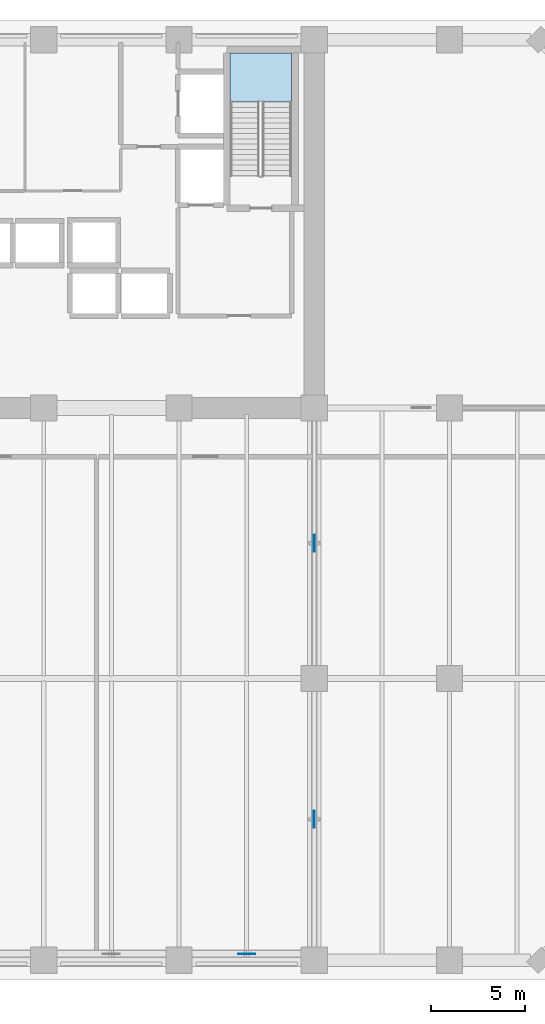
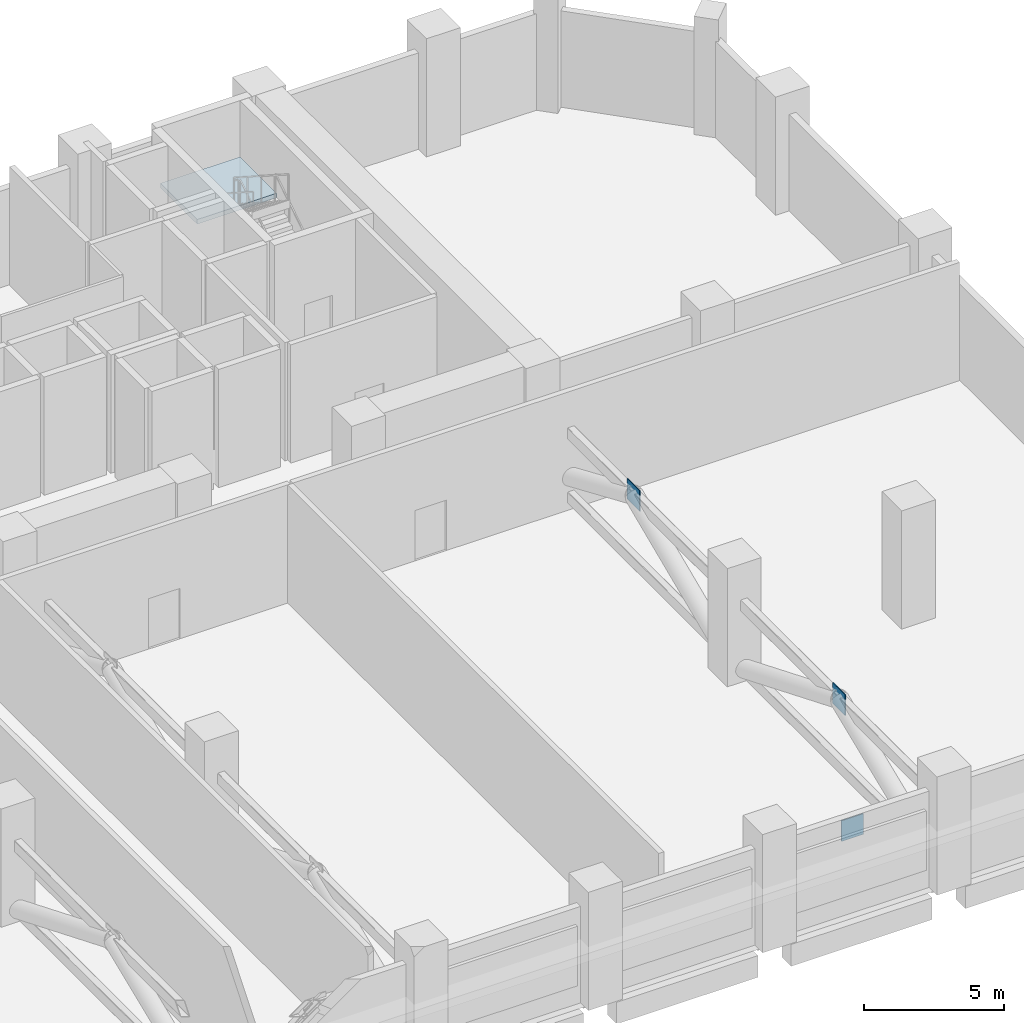
# One storey, part 6 of 15: 3 plates, 1 slab, 1 element without a shape of its own.
"""IFC4 building model written with IfcOpenShell, lengths in metres."""

import ifcopenshell
import ifcopenshell.guid

model = None  # the IFC model being written
_history = None  # IfcOwnerHistory: only IFC2X3 demands one
_inside = {}  # id of a spatial element -> (the spatial element, [elements in it])
_under = {}  # id of a project, library or spatial element -> (it, [spatial elements below it])
_declared = {}  # id of a project -> (the project, [libraries it declares])
_typed = {}  # id of a type object -> (the type object, [elements of that type])
_made_of = {}  # id of a material, layer set ... -> (it, [elements and type objects made of it])


def new_model(schema):
    """Start an empty IFC model of exactly this schema.

    Asked for "IFC4X3", IfcOpenShell would pick the latest addendum, in which some entities
    have other attributes; the version numbers below select the first issue.
    IFC2X3 requires an IfcOwnerHistory on every rooted entity: one is made here for all.
    """
    global model, _history
    if schema == "IFC4X3":
        model = ifcopenshell.file(schema_version=(4, 3, 0, 0))
    else:
        model = ifcopenshell.file(schema=schema)
    _inside.clear()
    _under.clear()
    _declared.clear()
    _typed.clear()
    _made_of.clear()
    _history = None
    if model.schema == "IFC2X3":
        org = make("IfcOrganization", Name="unknown")
        user = make(
            "IfcPersonAndOrganization",
            ThePerson=make("IfcPerson", FamilyName="unknown"),
            TheOrganization=org,
        )
        app = make(
            "IfcApplication",
            ApplicationDeveloper=org,
            Version="unknown",
            ApplicationFullName="unknown",
            ApplicationIdentifier="unknown",
        )
        _history = make(
            "IfcOwnerHistory",
            OwningUser=user,
            OwningApplication=app,
            ChangeAction="ADDED",
            CreationDate=0,
        )
    return model


def make(cls, **values):
    """One entity of the class cls with the attributes given. An attribute that is None is left unset."""
    return model.create_entity(
        cls, **{name: value for name, value in values.items() if value is not None}
    )


def rooted(cls, **values):
    """An entity with a GlobalId (a new one), such as an element, a storey or a relation."""
    return make(cls, GlobalId=ifcopenshell.guid.new(), OwnerHistory=_history, **values)


def si_unit(unit_type, name, prefix=None):
    """IfcSIUnit, for example si_unit("LENGTHUNIT", "METRE", prefix="MILLI")."""
    return make("IfcSIUnit", UnitType=unit_type, Prefix=prefix, Name=name)


def assignment(units):
    """IfcUnitAssignment: the units of a project."""
    return None if units is None else make("IfcUnitAssignment", Units=units)


def point(xyz):
    """IfcCartesianPoint."""
    return None if xyz is None else make("IfcCartesianPoint", Coordinates=xyz)


def direction(xyz):
    """IfcDirection."""
    return None if xyz is None else make("IfcDirection", DirectionRatios=xyz)


def frame(location, z_axis=None, x_axis=None):
    """IfcAxis2Placement3D, a coordinate frame: its origin and axes. An axis left out is left unset."""
    return make(
        "IfcAxis2Placement3D",
        Location=point(location),
        Axis=direction(z_axis),
        RefDirection=direction(x_axis),
    )


def frame_2d(location, x_axis=None):
    """IfcAxis2Placement2D, a coordinate frame in the plane: its origin and x axis."""
    return make(
        "IfcAxis2Placement2D", Location=point(location), RefDirection=direction(x_axis)
    )


def origin():
    """The frame at (0, 0, 0) with its axes left unset."""
    return frame((0.0, 0.0, 0.0))


def origin_2d():
    """The frame at (0, 0) in the plane with its x axis left unset."""
    return frame_2d((0.0, 0.0))


def place(relative_to, where):
    """IfcLocalPlacement: puts the frame where relative to a parent placement (None: the world)."""
    return make(
        "IfcLocalPlacement", PlacementRelTo=relative_to, RelativePlacement=where
    )


def context(
    kind, dimensions, precision=None, world=None, true_north=None, identifier=None
):
    """IfcGeometricRepresentationContext, for example the 3D "Model" context."""
    return make(
        "IfcGeometricRepresentationContext",
        ContextIdentifier=identifier,
        ContextType=kind,
        CoordinateSpaceDimension=dimensions,
        Precision=precision,
        WorldCoordinateSystem=world,
        TrueNorth=true_north,
    )


def subcontext(parent, identifier, kind, view, scale=None):
    """IfcGeometricRepresentationSubContext, for example "Body" below "Model"."""
    return make(
        "IfcGeometricRepresentationSubContext",
        ContextIdentifier=identifier,
        ContextType=kind,
        ParentContext=parent,
        TargetScale=scale,
        TargetView=view,
    )


def project(units=None, contexts=None):
    """IfcProject with its units and contexts."""
    return rooted(
        "IfcProject",
        Name="project",
        RepresentationContexts=contexts,
        UnitsInContext=assignment(units),
    )


def spatial(cls, under=None, at=None, **own):
    """A site, building, storey or space (cls), placed at a placement, below another one or the project."""
    s = rooted(cls, ObjectPlacement=at, **own)
    if under is not None:
        _under.setdefault(under.id(), (under, []))[1].append(s)
    return s


def polyline(points):
    """IfcPolyline through the points."""
    return make("IfcPolyline", Points=[point(p) for p in points])


def profile(cls, at=None, kind="AREA", **sizes):
    """A parametric profile (cls). Its sizes go by their IFC names, for example OverallWidth=200.0."""
    return make(cls, ProfileType=kind, Position=at, **sizes)


def rectangle(**sizes):
    """IfcRectangleProfileDef."""
    return profile("IfcRectangleProfileDef", **sizes)


def outline(outer, holes=None, kind="AREA"):
    """IfcArbitraryClosedProfileDef: a profile drawn as a closed curve; with holes, ...WithVoids."""
    if holes is None:
        return make("IfcArbitraryClosedProfileDef", ProfileType=kind, OuterCurve=outer)
    return make(
        "IfcArbitraryProfileDefWithVoids",
        ProfileType=kind,
        OuterCurve=outer,
        InnerCurves=holes,
    )


def extrude(swept, where, along, depth):
    """IfcExtrudedAreaSolid: the profile swept, set in the frame where, extruded along a direction by depth."""
    return make(
        "IfcExtrudedAreaSolid",
        SweptArea=swept,
        Position=where,
        ExtrudedDirection=direction(along),
        Depth=depth,
    )


def shape(context_of_items, identifier, shape_type, items):
    """IfcShapeRepresentation: the items that make up one representation, for example the "Body"."""
    return make(
        "IfcShapeRepresentation",
        ContextOfItems=context_of_items,
        RepresentationIdentifier=identifier,
        RepresentationType=shape_type,
        Items=items,
    )


def material(Name=None, Category=None):
    """IfcMaterial."""
    return make("IfcMaterial", Name=Name, Category=Category)


def layer(
    of_material, thickness, ventilated=None, Name=None, Category=None, Priority=None
):
    """IfcMaterialLayer: one layer of a wall or slab, of a material (None: an air gap)."""
    return make(
        "IfcMaterialLayer",
        Material=of_material,
        LayerThickness=thickness,
        IsVentilated=ventilated,
        Name=Name,
        Category=Category,
        Priority=Priority,
    )


def layer_set(layers, Name=None):
    """IfcMaterialLayerSet."""
    return make("IfcMaterialLayerSet", MaterialLayers=layers, LayerSetName=Name)


def made_of(thing, what):
    """Note that an element or type object is made of a material, layer set ...; save() writes the relation."""
    if what is not None:
        _made_of.setdefault(what.id(), (what, []))[1].append(thing)
    return thing


def type_object(cls, material=None, **own):
    """A type object (cls), such as IfcWallType, which elements share."""
    return made_of(rooted(cls, **own), material)


def element(
    cls,
    number,
    at=None,
    inside=None,
    cuts=None,
    type_object=None,
    material=None,
    context=None,
    identifier="Body",
    shape_type=None,
    held_by="IfcProductDefinitionShape",
    body=None,
    shapes=None,
    **own,
):
    """One element of the class cls, such as IfcWall. Its Tag is "e" and its number.

    at: its placement. inside: the storey or other place that contains it. cuts: it is an
    opening in that element (IfcRelVoidsElement). A single representation is given by context,
    identifier, shape_type and body (its items); several are given by shapes. held_by: the class
    of the entity that holds the representations. save() writes the other relations.
    """
    e = rooted(cls, Tag="e%d" % number, ObjectPlacement=at, **own)
    if body is not None:
        shapes = [shape(context, identifier, shape_type, body)]
    if shapes is not None:
        e.Representation = make(held_by, Representations=shapes)
    if inside is not None:
        _inside.setdefault(inside.id(), (inside, []))[1].append(e)
    if cuts is not None:
        rooted(
            "IfcRelVoidsElement", RelatingBuildingElement=cuts, RelatedOpeningElement=e
        )
    if type_object is not None:
        _typed.setdefault(type_object.id(), (type_object, []))[1].append(e)
    return made_of(e, material)


def aggregate(whole, parts):
    """IfcRelAggregates: a whole, such as a stair, and the parts it consists of."""
    return rooted("IfcRelAggregates", RelatingObject=whole, RelatedObjects=parts)


def save(model, path):
    """Write the relations noted so far, then the file.

    IfcRelAggregates (storeys below a building ...), IfcRelContainedInSpatialStructure (elements
    in a storey), IfcRelDefinesByType, IfcRelAssociatesMaterial and IfcRelDeclares: one each for
    every whole, place, type object, material and project.
    """
    for whole, parts in _under.values():
        aggregate(whole, parts)
    for where, things in _inside.values():
        rooted(
            "IfcRelContainedInSpatialStructure",
            RelatedElements=things,
            RelatingStructure=where,
        )
    for kind, things in _typed.values():
        rooted("IfcRelDefinesByType", RelatedObjects=things, RelatingType=kind)
    for what, things in _made_of.values():
        rooted("IfcRelAssociatesMaterial", RelatedObjects=things, RelatingMaterial=what)
    for by, libraries in _declared.values():
        rooted("IfcRelDeclares", RelatingContext=by, RelatedDefinitions=libraries)
    model.write(path)


model = new_model("IFC4")

# Units and contexts
model_context = context("Model", 3, precision=1e-05, world=origin(), true_north=direction((0.0, 1.0)))
body_context = subcontext(model_context, "Body", "Model", "MODEL_VIEW")
ifc_project = project(units=[si_unit("LENGTHUNIT", "METRE"), si_unit("AREAUNIT", "SQUARE_METRE"), si_unit("VOLUMEUNIT", "CUBIC_METRE"), si_unit("PLANEANGLEUNIT", "RADIAN"), si_unit("MASSUNIT", "GRAM", prefix="KILO")], contexts=[model_context])

# Site, building, storey
site_placement = place(None, origin())
site = spatial("IfcSite", under=ifc_project, at=site_placement, CompositionType="ELEMENT")
building_placement = place(site_placement, origin())
building = spatial("IfcBuilding", under=site, at=building_placement, Name="Kaelvorn Grand Hotel", CompositionType="ELEMENT")
storey_placement = place(building_placement, frame((0.0, 0.0, 80.14990234375)))
storey = spatial("IfcBuildingStorey", under=building, at=storey_placement, Name="L18", CompositionType="ELEMENT", Elevation=80.14990234375)

# Plates
ifc_material_1 = material(Name="Steel S460", Category="steel")
ifc_layer_1 = layer(ifc_material_1, 0.0400390625)
ifc_layer_set_1 = layer_set([ifc_layer_1], Name="Steel S460")
plate_type = type_object("IfcPlateType", Name="PL-GUSSET-40-S460", PredefinedType="USERDEFINED", material=ifc_layer_set_1)
for number, where, z_axis, x_axis, name in (
    (1, (67.800048828125, 7.5, 2.900146484375), (0.0, 0.0, 1.0), (1.0, 0.0, 0.0), "L18 Outrigger Gusset End-Cap Plate 4.1"),
    (2, (67.800048828125, 22.199951171875, 2.900146484375), (0.0, 0.0, 1.0), (1.0, 0.0, 0.0), "L18 Outrigger Gusset End-Cap Plate 4.2"),
):
    element("IfcPlate", number, at=place(storey_placement, frame(where, z_axis=z_axis, x_axis=x_axis)), inside=storey, type_object=plate_type, Name=name, ObjectType="GUSSET_PLATE", PredefinedType="USERDEFINED", context=body_context, shape_type="SweptSolid", body=[
        extrude(rectangle(XDim=0.0400390625, YDim=0.89990234375, at=origin_2d()), origin(), (0.0, 0.0, 1.0), 0.89990234375),
    ])
plate_placement = place(storey_placement, frame((64.199951171875, 0.340087890625, 2.900146484375), z_axis=(0.0, 0.0, 1.0), x_axis=(1.0, 0.0, 0.0)))
element("IfcPlate", 3, at=plate_placement, inside=storey, type_object=plate_type, Name="L18 Belt Truss Node Gusset Plate 7", ObjectType="GUSSET_PLATE", PredefinedType="USERDEFINED", context=body_context, shape_type="SweptSolid", body=[
    extrude(rectangle(XDim=0.89990234375, YDim=0.0400390625, at=origin_2d()), origin(), (0.0, 0.0, 1.0), 0.89990234375),
])

# Stair, slab
ifc_material_2 = material(Name="Concrete C40/50", Category="concrete")
stair_type = type_object("IfcStairType", Name="STR-DOG-1560-R04", PredefinedType="HALF_TURN_STAIR", material=ifc_material_2)
stair_placement = place(storey_placement, origin())
stair = element("IfcStair", 4, at=stair_placement, inside=storey, type_object=stair_type, Name="L18 East Core Exit Stair ST3", PredefinedType="HALF_TURN_STAIR")
ifc_layer_2 = layer(ifc_material_2, 0.199951171875)
ifc_layer_set_2 = layer_set([ifc_layer_2], Name="Concrete C40/50")
slab_type = type_object("IfcSlabType", Name="SLB-LAND-200-C40", PredefinedType="LANDING", material=ifc_layer_set_2)
slab_placement = place(storey_placement, frame((0.0, 0.0, 2.5)))
slab = element("IfcSlab", 5, at=slab_placement, type_object=slab_type, Name="ST3 landing 1", PredefinedType="LANDING", context=body_context, shape_type="SweptSolid", body=[
    extrude(outline(polyline([(66.60009765625, 45.679931640625), (66.60009765625, 48.300048828125), (63.320068359375, 48.300048828125), (63.320068359375, 45.679931640625), (66.60009765625, 45.679931640625)])), origin(), (0.0, 0.0, 1.0), 0.2001953125),
])
aggregate(stair, [slab])

save(model, "model.ifc")
